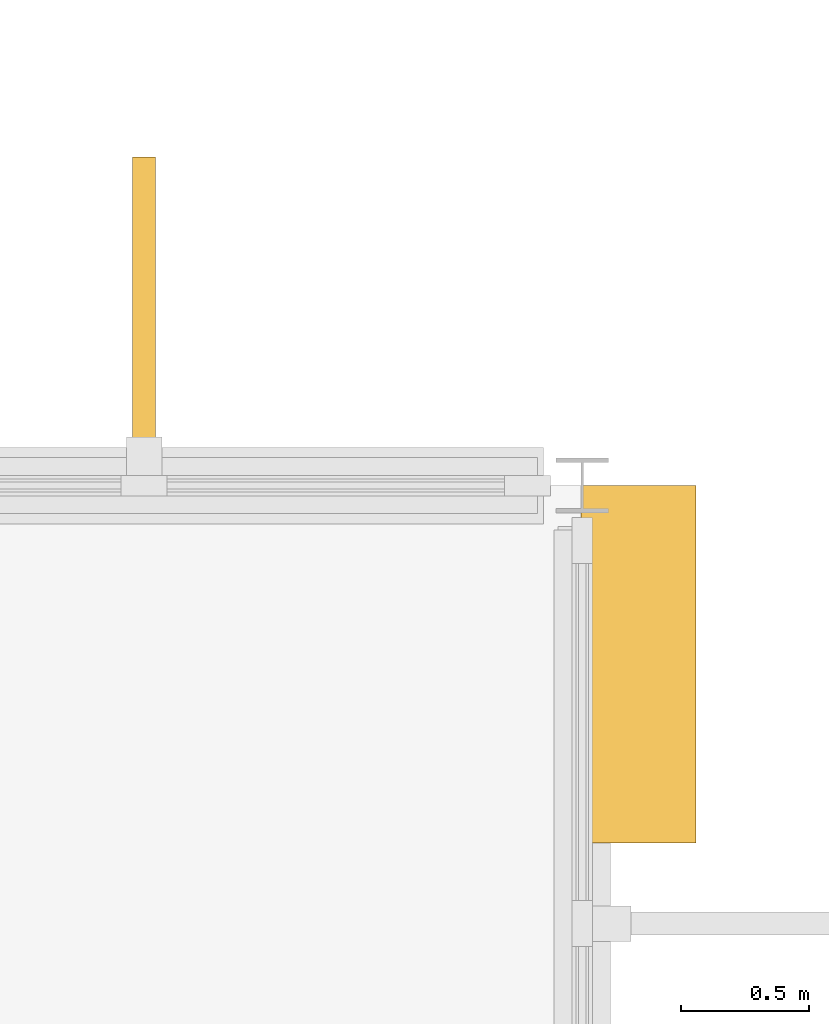
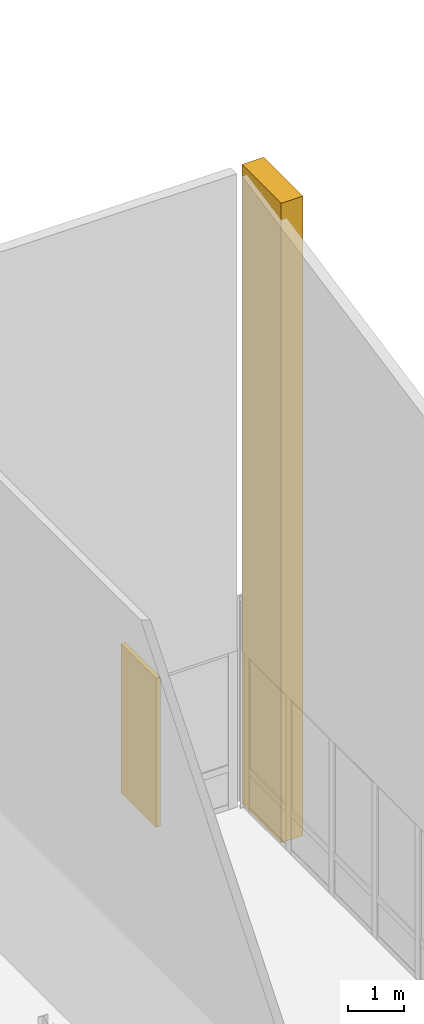
# One storey, part 92 of 93: 2 coverings.
"""IFC4 building model written with IfcOpenShell, lengths in metres."""

from ifc_helpers import new_model, si_unit, direction, frame, origin, origin_2d, place, context, subcontext, project, spatial, rectangle, extrude, material, layer, layer_set, type_object, element, save


model = new_model("IFC4")

# Units and contexts
model_context = context("Model", 3, precision=1e-05, world=origin(), true_north=direction((0.0, 1.0)))
body_context = subcontext(model_context, "Body", "Model", "MODEL_VIEW")
ifc_project = project(units=[si_unit("LENGTHUNIT", "METRE"), si_unit("AREAUNIT", "SQUARE_METRE"), si_unit("VOLUMEUNIT", "CUBIC_METRE"), si_unit("PLANEANGLEUNIT", "RADIAN"), si_unit("MASSUNIT", "GRAM", prefix="KILO")], contexts=[model_context])

# Site, building, storey
site_placement = place(None, origin())
site = spatial("IfcSite", under=ifc_project, at=site_placement, CompositionType="ELEMENT")
building_placement = place(site_placement, origin())
building = spatial("IfcBuilding", under=site, at=building_placement, Name="Dunescarp Central Library", CompositionType="ELEMENT")
storey_placement = place(building_placement, frame((0.0, 0.0, 14.10009765625)))
storey = spatial("IfcBuildingStorey", under=building, at=storey_placement, Name="L03", CompositionType="ELEMENT", Elevation=14.10009765625)

# Coverings
ifc_material = material(Name="Glass-fibre reinforced concrete GRC", Category="concrete")
ifc_layer_1 = layer(ifc_material, 0.090087890625)
ifc_layer_set_1 = layer_set([ifc_layer_1], Name="Glass-fibre reinforced concrete GRC")
covering_type_1 = type_object("IfcCoveringType", Name="ARC-COV-FIN1250", PredefinedType="CLADDING", material=ifc_layer_set_1)
covering_1_placement = place(storey_placement, frame((27.0830078125, 90.261962890625, 0.079833984375), z_axis=(0.0, 0.0, 1.0), x_axis=(0.0, 1.0, 0.0)))
element("IfcCovering", 1, at=covering_1_placement, inside=storey, type_object=covering_type_1, Name="L03 parametric vertical facade fin FIN-L03-0915", PredefinedType="CLADDING", context=body_context, shape_type="SweptSolid", body=[
    extrude(rectangle(XDim=1.25, YDim=0.090087890625, at=origin_2d()), origin(), (0.0, 0.0, 1.0), 3.25390625),
])
ifc_layer_2 = layer(ifc_material, 0.449951171875)
ifc_layer_set_2 = layer_set([ifc_layer_2], Name="Glass-fibre reinforced concrete GRC")
covering_type_2 = type_object("IfcCoveringType", Name="ARC-COV-PORTAL", PredefinedType="CLADDING", material=ifc_layer_set_2)
covering_2_placement = place(storey_placement, frame((29.02001953125, 88.89990234375, 0.0), z_axis=(0.0, 0.0, 1.0), x_axis=(1.0, 0.0, 0.0)))
element("IfcCovering", 2, at=covering_2_placement, inside=storey, type_object=covering_type_2, Name="V4 sculpted GRC portal pier PRT-BAND-V4-078", PredefinedType="CLADDING", context=body_context, shape_type="SweptSolid", body=[
    extrude(rectangle(XDim=0.449951171875, YDim=1.39990234375, at=origin_2d()), origin(), (0.0, 0.0, 1.0), 13.9599609375),
])

save(model, "model.ifc")
